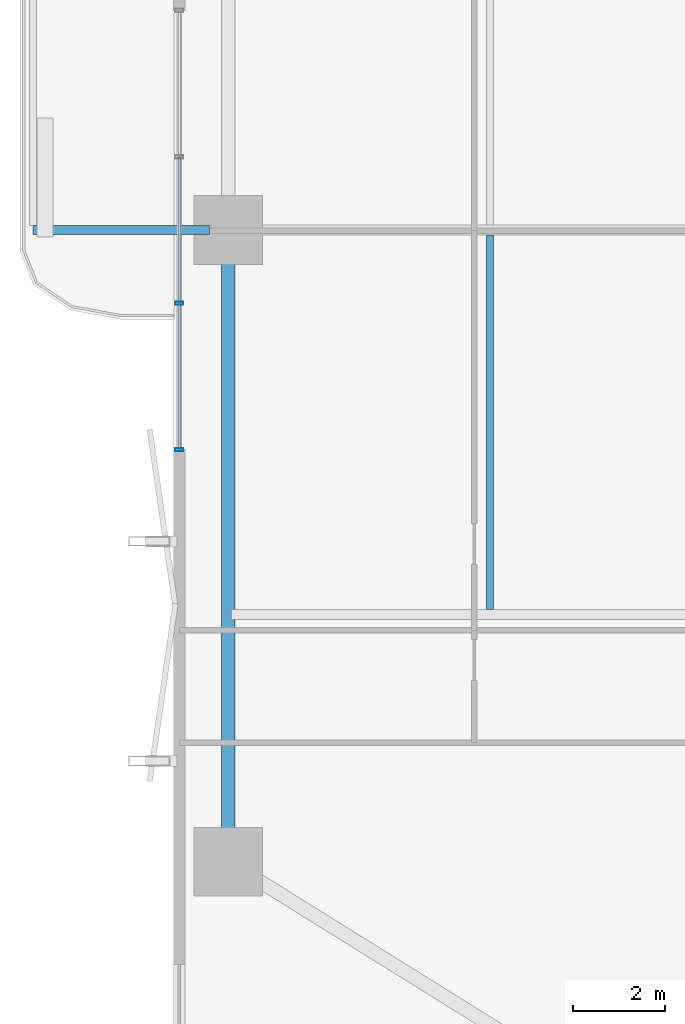
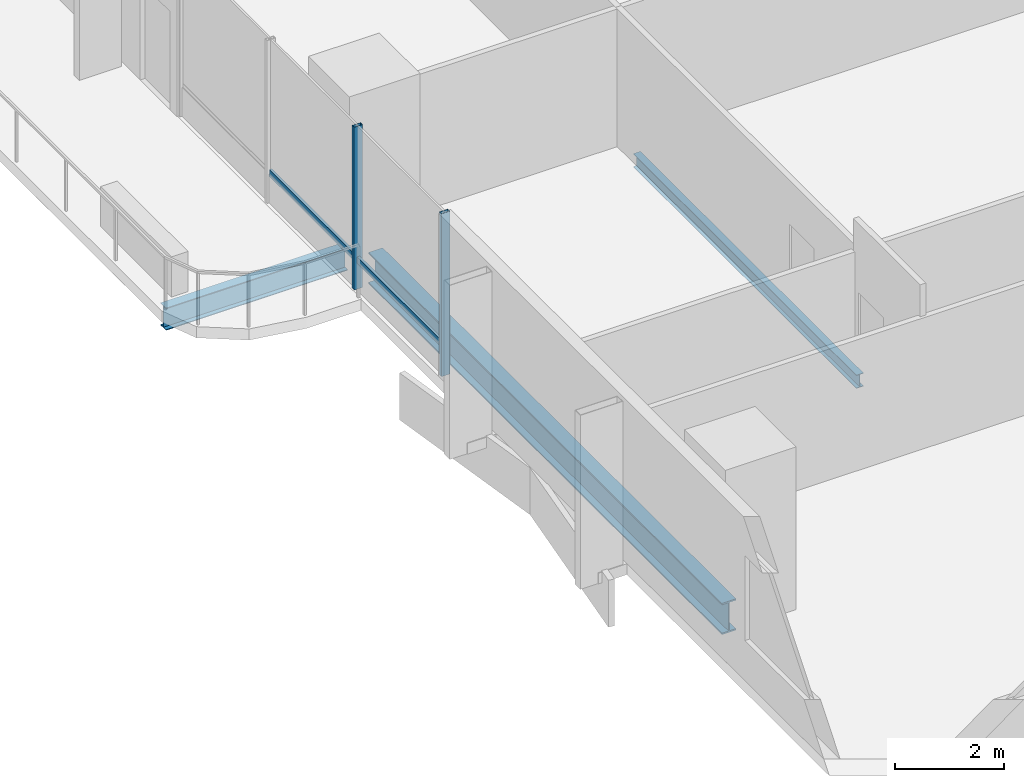
# One storey, part 4 of 23: 4 members, 3 beams, 1 element without a shape of its own.
"""IFC4 building model written with IfcOpenShell, lengths in metres."""

from ifc_helpers import new_model, si_unit, direction, frame, origin, origin_2d, place, context, subcontext, project, spatial, hollow_rectangle, i_section, extrude, material, layer, layer_set, material_profile, profile_set, type_object, element, aggregate, save


model = new_model("IFC4")

# Units and contexts
model_context = context("Model", 3, precision=1e-05, world=origin(), true_north=direction((0.0, 1.0)))
body_context = subcontext(model_context, "Body", "Model", "MODEL_VIEW")
ifc_project = project(units=[si_unit("LENGTHUNIT", "METRE"), si_unit("AREAUNIT", "SQUARE_METRE"), si_unit("VOLUMEUNIT", "CUBIC_METRE"), si_unit("PLANEANGLEUNIT", "RADIAN"), si_unit("MASSUNIT", "GRAM", prefix="KILO")], contexts=[model_context])

# Site, building, storey
site_placement = place(None, origin())
site = spatial("IfcSite", under=ifc_project, at=site_placement, CompositionType="ELEMENT")
building_placement = place(site_placement, origin())
building = spatial("IfcBuilding", under=site, at=building_placement, Name="Belovzor Exchange Tower", CompositionType="ELEMENT")
storey_placement = place(building_placement, frame((0.0, 0.0, 100.199951171875)))
storey = spatial("IfcBuildingStorey", under=building, at=storey_placement, Name="L24", CompositionType="ELEMENT", Elevation=100.199951171875)

# Beams
ifc_material_1 = material(Name="Steel S355", Category="steel")
ifc_material_profile_1 = material_profile(ifc_material_1, i_section(OverallWidth=0.199951171875, OverallDepth=0.5, WebThickness=0.01025390625, FlangeThickness=0.01611328125, at=origin_2d()))
ifc_profile_set_1 = profile_set([ifc_material_profile_1], Name="Steel S355")
beam_type_1 = type_object("IfcBeamType", Name="Planted Balcony Cantilever Beam IPE 500", PredefinedType="BEAM", material=ifc_profile_set_1)
beam_1_placement = place(storey_placement, frame((1.68798828125, 28.800048828125, -0.5), z_axis=(-1.0, 0.0, 0.0), x_axis=(0.0, -1.0, 0.0)))
element("IfcBeam", 1, at=beam_1_placement, inside=storey, type_object=beam_type_1, Name="BC-500 Planted Balcony Cantilever Beam IPE 500", PredefinedType="BEAM", context=body_context, shape_type="SweptSolid", body=[
    extrude(i_section(OverallWidth=0.199951171875, OverallDepth=0.5, WebThickness=0.01025390625, FlangeThickness=0.01611328125, at=origin_2d()), origin(), (0.0, 0.0, 1.0), 3.85009765625),
])
ifc_material_2 = material(Name="Steel S355", Category="steel")
ifc_material_profile_2 = material_profile(ifc_material_2, i_section(OverallWidth=0.14990234375, OverallDepth=0.300048828125, WebThickness=0.007080078125, FlangeThickness=0.0107421875, at=origin_2d()))
ifc_profile_set_2 = profile_set([ifc_material_profile_2], Name="Steel S355")
beam_type_2 = type_object("IfcBeamType", Name="Secondary Trim Floor Joist IPE 300", PredefinedType="BEAM", material=ifc_profile_set_2)
beam_2_placement = place(storey_placement, frame((7.81494140625, 20.5048828125, -0.39990234375), z_axis=(0.0, 1.0, 0.0), x_axis=(-1.0, 0.0, 0.0)))
element("IfcBeam", 2, at=beam_2_placement, inside=storey, type_object=beam_type_2, Name="FJ-300 Secondary Trim Floor Joist IPE 300", PredefinedType="BEAM", context=body_context, shape_type="SweptSolid", body=[
    extrude(i_section(OverallWidth=0.14990234375, OverallDepth=0.300048828125, WebThickness=0.007080078125, FlangeThickness=0.0107421875, at=origin_2d()), origin(), (0.0, 0.0, 1.0), 8.190185546875),
])

# Curtain wall, members
ifc_material_3 = material(Name="Anodised Aluminium Framing", Category="aluminium")
ifc_layer = layer(ifc_material_3, 0.179931640625)
ifc_layer_set = layer_set([ifc_layer], Name="Anodised Aluminium Framing")
curtain_wall_type = type_object("IfcCurtainWallType", Name="Recessed Loggia Low-Iron Triple-Glazed Curtain Wall", PredefinedType="NOTDEFINED", material=ifc_layer_set)
curtain_wall_placement = place(storey_placement, origin())
curtain_wall = element("IfcCurtainWall", 3, at=curtain_wall_placement, inside=storey, type_object=curtain_wall_type, Name="CW3 Recessed Loggia Low-Iron Triple-Glazed Curtain Wall L24", PredefinedType="NOTDEFINED")
ifc_material_4 = material(Name="Steel S355", Category="steel")
ifc_material_profile_3 = material_profile(ifc_material_4, hollow_rectangle(XDim=0.074951171875, YDim=0.179931640625, WallThickness=0.0048828125, at=origin_2d()))
ifc_profile_set_3 = profile_set([ifc_material_profile_3], Name="Steel S355")
member_type_1 = type_object("IfcMemberType", Name="Thermally Broken Curtain Wall Mullion 180x75", PredefinedType="MULLION", material=ifc_profile_set_3)
member_1_placement = place(storey_placement, frame((1.030029296875, 24.0, 0.0), z_axis=(0.0, 0.0, 1.0), x_axis=(0.0, 1.0, 0.0)))
member_1 = element("IfcMember", 4, at=member_1_placement, type_object=member_type_1, Name="CW-M180 Curtain Wall Mullion 1", PredefinedType="MULLION", context=body_context, shape_type="SweptSolid", body=[
    extrude(hollow_rectangle(XDim=0.074951171875, YDim=0.179931640625, WallThickness=0.0048828125, at=origin_2d()), origin(), (0.0, 0.0, 1.0), 3.650146484375),
])
member_2_placement = place(storey_placement, frame((1.030029296875, 27.199951171875, 0.0), z_axis=(0.0, 0.0, 1.0), x_axis=(0.0, 1.0, 0.0)))
member_2 = element("IfcMember", 5, at=member_2_placement, type_object=member_type_1, Name="CW-M180 Curtain Wall Mullion 2", PredefinedType="MULLION", context=body_context, shape_type="SweptSolid", body=[
    extrude(hollow_rectangle(XDim=0.074951171875, YDim=0.179931640625, WallThickness=0.0048828125, at=origin_2d()), origin(), (0.0, 0.0, 1.0), 3.650146484375),
])
ifc_material_5 = material(Name="Steel S355", Category="steel")
ifc_material_profile_4 = material_profile(ifc_material_5, hollow_rectangle(XDim=0.06005859375, YDim=0.14990234375, WallThickness=0.00390625, at=origin_2d()))
ifc_profile_set_4 = profile_set([ifc_material_profile_4], Name="Steel S355")
member_type_2 = type_object("IfcMemberType", Name="Thermally Broken Curtain Wall Transom 150x60", PredefinedType="USERDEFINED", material=ifc_profile_set_4)
member_3_placement = place(storey_placement, frame((1.030029296875, 24.008056640625, 0.650146484375), z_axis=(0.0, 1.0, 0.0), x_axis=(-1.0, 0.0, 0.0)))
member_3 = element("IfcMember", 6, at=member_3_placement, type_object=member_type_2, Name="CW-T150 Curtain Wall Transom 1", ObjectType="TRANSOM", PredefinedType="USERDEFINED", context=body_context, shape_type="SweptSolid", body=[
    extrude(hollow_rectangle(XDim=0.06005859375, YDim=0.14990234375, WallThickness=0.00390625, at=origin_2d()), origin(), (0.0, 0.0, 1.0), 3.183837890625),
])
member_4_placement = place(storey_placement, frame((1.030029296875, 27.2080078125, 0.650146484375), z_axis=(0.0, 1.0, 0.0), x_axis=(-1.0, 0.0, 0.0)))
member_4 = element("IfcMember", 7, at=member_4_placement, type_object=member_type_2, Name="CW-T150 Curtain Wall Transom 2", ObjectType="TRANSOM", PredefinedType="USERDEFINED", context=body_context, shape_type="SweptSolid", body=[
    extrude(hollow_rectangle(XDim=0.06005859375, YDim=0.14990234375, WallThickness=0.00390625, at=origin_2d()), origin(), (0.0, 0.0, 1.0), 3.18408203125),
])
aggregate(curtain_wall, [member_1, member_2, member_3, member_4])

# Beam
ifc_material_6 = material(Name="Steel S355", Category="steel")
ifc_material_profile_5 = material_profile(ifc_material_6, i_section(OverallWidth=0.300048828125, OverallDepth=0.699951171875, WebThickness=0.01708984375, FlangeThickness=0.031982421875, at=origin_2d()))
ifc_profile_set_5 = profile_set([ifc_material_profile_5], Name="Steel S355")
beam_type_3 = type_object("IfcBeamType", Name="Zone 1 Primary Perimeter Girder HEB 700", PredefinedType="BEAM", material=ifc_profile_set_5)
beam_3_placement = place(storey_placement, frame((2.10009765625, 28.386962890625, -0.599853515625), z_axis=(0.0, -1.0, 0.0), x_axis=(1.0, 0.0, 0.0)))
element("IfcBeam", 8, at=beam_3_placement, inside=storey, type_object=beam_type_3, Name="FG-Z1 Zone 1 Primary Perimeter Girder HEB 700", PredefinedType="BEAM", context=body_context, shape_type="SweptSolid", body=[
    extrude(i_section(OverallWidth=0.300048828125, OverallDepth=0.699951171875, WebThickness=0.01708984375, FlangeThickness=0.031982421875, at=origin_2d()), origin(), (0.0, 0.0, 1.0), 12.974853515625),
])

save(model, "model.ifc")
